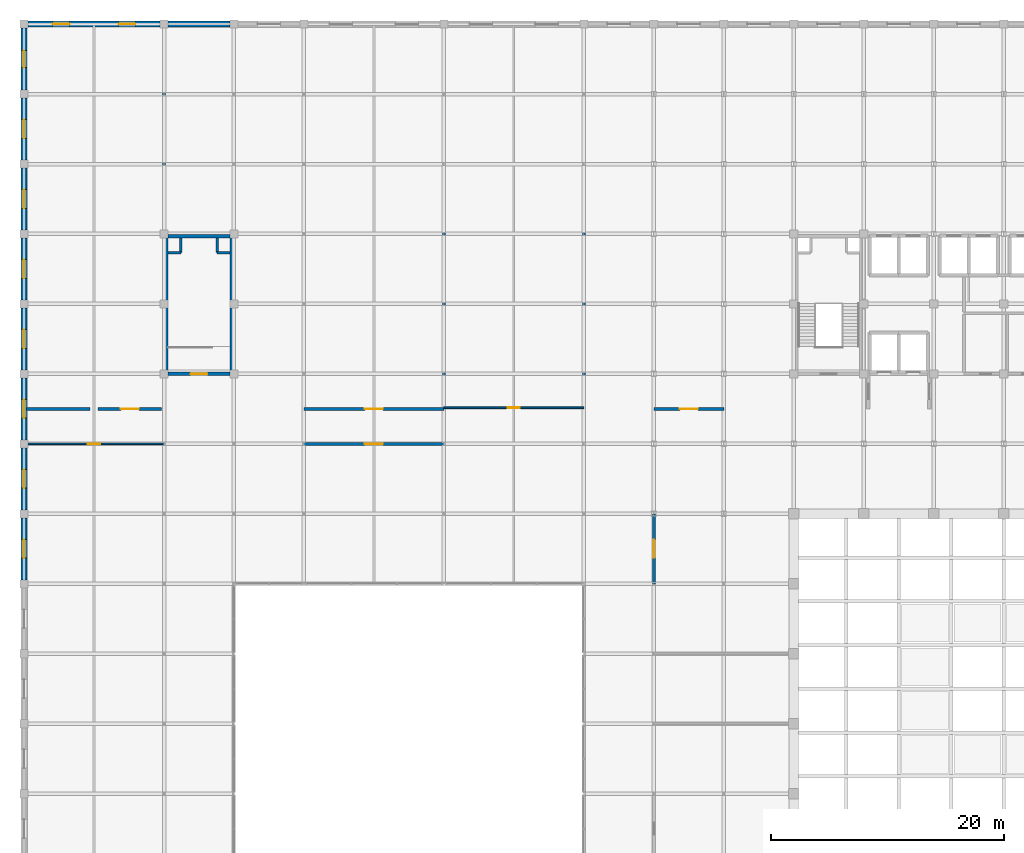
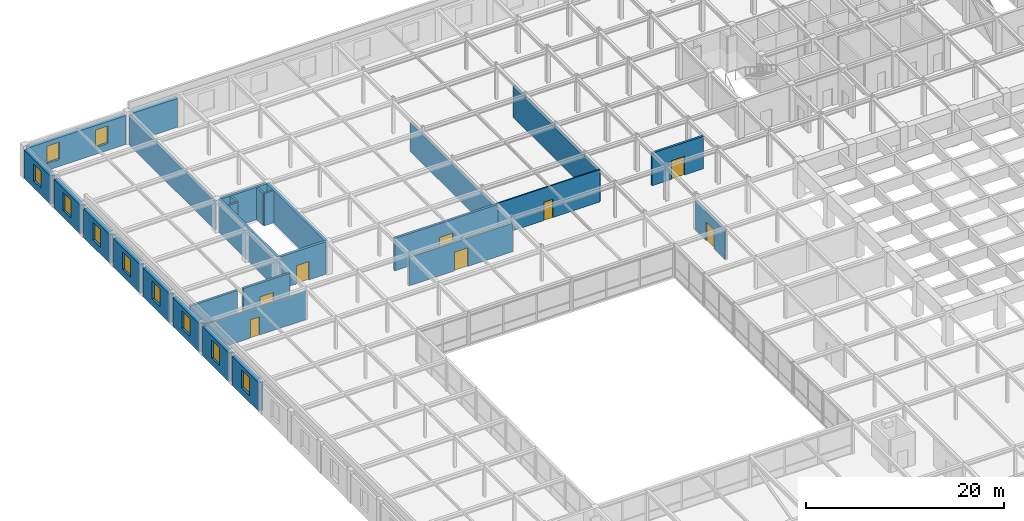
# One storey, part 104 of 111: 29 walls, 10 windows, 8 doors, 18 openings.
"""IFC4 building model written with IfcOpenShell, lengths in metres."""

from ifc_helpers import new_model, si_unit, direction, frame, frame_2d, origin, place, context, subcontext, project, spatial, rectangle, extrude, material, layer, layer_set, type_object, element, fill, save


model = new_model("IFC4")

# Units and contexts
model_context = context("Model", 3, precision=1e-05, world=origin(), true_north=direction((0.0, 1.0)))
body_context = subcontext(model_context, "Body", "Model", "MODEL_VIEW")
ifc_project = project(units=[si_unit("LENGTHUNIT", "METRE"), si_unit("AREAUNIT", "SQUARE_METRE"), si_unit("VOLUMEUNIT", "CUBIC_METRE"), si_unit("PLANEANGLEUNIT", "RADIAN"), si_unit("MASSUNIT", "GRAM", prefix="KILO")], contexts=[model_context])

# Site, building, storey
site_placement = place(None, origin())
site = spatial("IfcSite", under=ifc_project, at=site_placement, CompositionType="ELEMENT")
building_placement = place(site_placement, origin())
building = spatial("IfcBuilding", under=site, at=building_placement, Name="Zlatovratsky Civic Hall", CompositionType="ELEMENT")
storey_placement = place(building_placement, frame((0.0, 0.0, 16.5)))
storey = spatial("IfcBuildingStorey", under=building, at=storey_placement, Name="L04", CompositionType="ELEMENT", Elevation=16.5)

# Wall, opening, door
ifc_material_1 = material(Name="Acoustic ceramic blockwork", Category="masonry")
ifc_layer_1 = layer(ifc_material_1, 0.260009765625)
ifc_layer_set_1 = layer_set([ifc_layer_1], Name="Acoustic ceramic blockwork")
wall_type_1 = type_object("IfcWallType", Name="Wall_ArchiveCompartment_260", PredefinedType="PARTITIONING", material=ifc_layer_set_1)
wall_1_placement = place(storey_placement, frame((24.0, 78.0, 0.0), z_axis=(0.0, 0.0, 1.0), x_axis=(1.0, 0.0, 0.0)))
wall_1 = element("IfcWall", 1, at=wall_1_placement, inside=storey, type_object=wall_type_1, Name="WL-6228", PredefinedType="PARTITIONING", context=body_context, shape_type="SweptSolid", body=[
    extrude(rectangle(XDim=12.0, YDim=0.260009765625, at=frame_2d((6.0, 0.0))), origin(), (0.0, 0.0, 1.0), 3.512939453125),
])
opening_1_placement = place(wall_1_placement, frame((5.22509765625, 0.0, 0.0)))
opening_1 = element("IfcOpeningElement", 2, at=opening_1_placement, cuts=wall_1, Name="Opening D-15", PredefinedType="OPENING", context=body_context, shape_type="SweptSolid", body=[
    extrude(rectangle(XDim=1.550048828125, YDim=2.300048828125, at=frame_2d((0.77490234375, 1.14990234375))), frame((0.0, 0.14501953125, 0.0), z_axis=(0.0, -1.0, 0.0), x_axis=(1.0, 0.0, 0.0)), (0.0, 0.0, 1.0), 0.289794921875),
])
ifc_material_2 = material(Name="Insulated painted fire-rated steel leaf", Category="steel")
door_type_1 = type_object("IfcDoorType", Name="Door_CompactArchiveFire_1550x2300", OperationType="DOUBLE_DOOR_SINGLE_SWING", PredefinedType="DOOR", material=ifc_material_2)
door_1_placement = place(opening_1_placement, origin())
door_1 = element("IfcDoor", 3, at=door_1_placement, inside=storey, type_object=door_type_1, Name="DR-5329", OperationType="DOUBLE_DOOR_SINGLE_SWING", OverallHeight=2.300048828125, OverallWidth=1.550048828125, PredefinedType="DOOR", context=body_context, shape_type="SweptSolid", body=[
    extrude(rectangle(XDim=1.550048828125, YDim=2.300048828125, at=frame_2d((0.77490234375, 1.14990234375))), frame((0.0, 0.02490234375, 0.0), z_axis=(0.0, -1.0, 0.0), x_axis=(1.0, 0.0, 0.0)), (0.0, 0.0, 1.0), 0.050048828125),
])
fill(opening_1, door_1)

wall_2_placement = place(storey_placement, frame((24.0, 81.0, 0.0), z_axis=(0.0, 0.0, 1.0), x_axis=(1.0, 0.0, 0.0)))
wall_2 = element("IfcWall", 4, at=wall_2_placement, inside=storey, type_object=wall_type_1, Name="WL-6230", PredefinedType="PARTITIONING", context=body_context, shape_type="SweptSolid", body=[
    extrude(rectangle(XDim=12.0, YDim=0.260009765625, at=frame_2d((6.0, 0.0))), origin(), (0.0, 0.0, 1.0), 4.0),
])
opening_2_placement = place(wall_2_placement, frame((5.22509765625, 0.0, 0.0)))
opening_2 = element("IfcOpeningElement", 5, at=opening_2_placement, cuts=wall_2, Name="Opening D-15", PredefinedType="OPENING", context=body_context, shape_type="SweptSolid", body=[
    extrude(rectangle(XDim=1.550048828125, YDim=2.300048828125, at=frame_2d((0.77490234375, 1.14990234375))), frame((0.0, 0.14501953125, 0.0), z_axis=(0.0, -1.0, 0.0), x_axis=(1.0, 0.0, 0.0)), (0.0, 0.0, 1.0), 0.289794921875),
])
door_2_placement = place(opening_2_placement, origin())
door_2 = element("IfcDoor", 6, at=door_2_placement, inside=storey, type_object=door_type_1, Name="DR-5331", OperationType="DOUBLE_DOOR_SINGLE_SWING", OverallHeight=2.300048828125, OverallWidth=1.550048828125, PredefinedType="DOOR", context=body_context, shape_type="SweptSolid", body=[
    extrude(rectangle(XDim=1.550048828125, YDim=2.300048828125, at=frame_2d((0.77490234375, 1.14990234375))), frame((0.0, 0.02490234375, 0.0), z_axis=(0.0, -1.0, 0.0), x_axis=(1.0, 0.0, 0.0)), (0.0, 0.0, 1.0), 0.050048828125),
])
fill(opening_2, door_2)

wall_3_placement = place(storey_placement, frame((54.0, 81.0, 0.0), z_axis=(0.0, 0.0, 1.0), x_axis=(1.0, 0.0, 0.0)))
wall_3 = element("IfcWall", 7, at=wall_3_placement, inside=storey, type_object=wall_type_1, Name="WL-6231", PredefinedType="PARTITIONING", context=body_context, shape_type="SweptSolid", body=[
    extrude(rectangle(XDim=6.0, YDim=0.260009765625, at=frame_2d((3.0, 0.0))), origin(), (0.0, 0.0, 1.0), 4.0),
])
opening_3_placement = place(wall_3_placement, frame((2.22509765625, 0.0, 0.0)))
opening_3 = element("IfcOpeningElement", 8, at=opening_3_placement, cuts=wall_3, Name="Opening D-15", PredefinedType="OPENING", context=body_context, shape_type="SweptSolid", body=[
    extrude(rectangle(XDim=1.550048828125, YDim=2.300048828125, at=frame_2d((0.77490234375, 1.14990234375))), frame((0.0, 0.14501953125, 0.0), z_axis=(0.0, -1.0, 0.0), x_axis=(1.0, 0.0, 0.0)), (0.0, 0.0, 1.0), 0.289794921875),
])
door_3_placement = place(opening_3_placement, origin())
door_3 = element("IfcDoor", 9, at=door_3_placement, inside=storey, type_object=door_type_1, Name="DR-5332", OperationType="DOUBLE_DOOR_SINGLE_SWING", OverallHeight=2.300048828125, OverallWidth=1.550048828125, PredefinedType="DOOR", context=body_context, shape_type="SweptSolid", body=[
    extrude(rectangle(XDim=1.550048828125, YDim=2.300048828125, at=frame_2d((0.77490234375, 1.14990234375))), frame((0.0, 0.02490234375, 0.0), z_axis=(0.0, -1.0, 0.0), x_axis=(1.0, 0.0, 0.0)), (0.0, 0.0, 1.0), 0.050048828125),
])
fill(opening_3, door_3)

wall_4_placement = place(storey_placement, frame((54.0, 66.0, 0.0), z_axis=(0.0, 0.0, 1.0), x_axis=(0.0, 1.0, 0.0)))
wall_4 = element("IfcWall", 10, at=wall_4_placement, inside=storey, type_object=wall_type_1, Name="WL-6235", PredefinedType="PARTITIONING", context=body_context, shape_type="SweptSolid", body=[
    extrude(rectangle(XDim=6.0, YDim=0.260009765625, at=frame_2d((3.0, 0.0))), origin(), (0.0, 0.0, 1.0), 3.56005859375),
])
opening_4_placement = place(wall_4_placement, frame((2.22509765625, 0.0, 0.0)))
opening_4 = element("IfcOpeningElement", 11, at=opening_4_placement, cuts=wall_4, Name="Opening D-15", PredefinedType="OPENING", context=body_context, shape_type="SweptSolid", body=[
    extrude(rectangle(XDim=1.550048828125, YDim=2.300048828125, at=frame_2d((0.77490234375, 1.14990234375))), frame((0.0, 0.14501953125, 0.0), z_axis=(0.0, -1.0, 0.0), x_axis=(1.0, 0.0, 0.0)), (0.0, 0.0, 1.0), 0.289794921875),
])
door_4_placement = place(opening_4_placement, origin())
door_4 = element("IfcDoor", 12, at=door_4_placement, inside=storey, type_object=door_type_1, Name="DR-5336", OperationType="DOUBLE_DOOR_SINGLE_SWING", OverallHeight=2.300048828125, OverallWidth=1.550048828125, PredefinedType="DOOR", context=body_context, shape_type="SweptSolid", body=[
    extrude(rectangle(XDim=1.550048828125, YDim=2.300048828125, at=frame_2d((0.77490234375, 1.14990234375))), frame((0.0, 0.02490234375, 0.0), z_axis=(0.0, -1.0, 0.0), x_axis=(1.0, 0.0, 0.0)), (0.0, 0.0, 1.0), 0.050048828125),
])
fill(opening_4, door_4)

wall_5_placement = place(storey_placement, frame((6.35009765625, 81.0, 0.0), z_axis=(0.0, 0.0, 1.0), x_axis=(1.0, 0.0, 0.0)))
wall_5 = element("IfcWall", 13, at=wall_5_placement, inside=storey, type_object=wall_type_1, Name="WL-6238", PredefinedType="PARTITIONING", context=body_context, shape_type="SweptSolid", body=[
    extrude(rectangle(XDim=5.449951171875, YDim=0.260009765625, at=frame_2d((2.72509765625, 0.0))), origin(), (0.0, 0.0, 1.0), 4.0),
])
opening_5_placement = place(wall_5_placement, frame((1.949951171875, 0.0, 0.0)))
opening_5 = element("IfcOpeningElement", 14, at=opening_5_placement, cuts=wall_5, Name="Opening D-15", PredefinedType="OPENING", context=body_context, shape_type="SweptSolid", body=[
    extrude(rectangle(XDim=1.550048828125, YDim=2.300048828125, at=frame_2d((0.77490234375, 1.14990234375))), frame((0.0, 0.14501953125, 0.0), z_axis=(0.0, -1.0, 0.0), x_axis=(1.0, 0.0, 0.0)), (0.0, 0.0, 1.0), 0.289794921875),
])
door_5_placement = place(opening_5_placement, origin())
door_5 = element("IfcDoor", 15, at=door_5_placement, inside=storey, type_object=door_type_1, Name="DR-5339", OperationType="DOUBLE_DOOR_SINGLE_SWING", OverallHeight=2.300048828125, OverallWidth=1.550048828125, PredefinedType="DOOR", context=body_context, shape_type="SweptSolid", body=[
    extrude(rectangle(XDim=1.550048828125, YDim=2.300048828125, at=frame_2d((0.77490234375, 1.14990234375))), frame((0.0, 0.02490234375, 0.0), z_axis=(0.0, -1.0, 0.0), x_axis=(1.0, 0.0, 0.0)), (0.0, 0.0, 1.0), 0.050048828125),
])
fill(opening_5, door_5)

# Walls
wall_6_placement = place(storey_placement, frame((36.0, 81.14990234375, 0.0), z_axis=(0.0, 0.0, 1.0), x_axis=(0.0, 1.0, 0.0)))
element("IfcWall", 16, at=wall_6_placement, inside=storey, type_object=wall_type_1, Name="WL-6240", PredefinedType="PARTITIONING", context=body_context, shape_type="SweptSolid", body=[
    extrude(rectangle(XDim=17.2001953125, YDim=0.260009765625, at=frame_2d((8.60009765625, 0.0))), origin(), (0.0, 0.0, 1.0), 3.56005859375),
])
wall_7_placement = place(storey_placement, frame((48.0, 81.14990234375, 0.0), z_axis=(0.0, 0.0, 1.0), x_axis=(0.0, 1.0, 0.0)))
element("IfcWall", 17, at=wall_7_placement, inside=storey, type_object=wall_type_1, Name="WL-6241", PredefinedType="PARTITIONING", context=body_context, shape_type="SweptSolid", body=[
    extrude(rectangle(XDim=17.2001953125, YDim=0.260009765625, at=frame_2d((8.60009765625, 0.0))), origin(), (0.0, 0.0, 1.0), 3.840087890625),
])
wall_8_placement = place(storey_placement, frame((0.199951171875, 81.0, 0.0), z_axis=(0.0, 0.0, 1.0), x_axis=(1.0, 0.0, 0.0)))
element("IfcWall", 18, at=wall_8_placement, inside=storey, type_object=wall_type_1, Name="WL-6248", PredefinedType="PARTITIONING", context=body_context, shape_type="SweptSolid", body=[
    extrude(rectangle(XDim=5.449951171875, YDim=0.260009765625, at=frame_2d((2.72509765625, 0.0))), origin(), (0.0, 0.0, 1.0), 4.0),
])
wall_9_placement = place(storey_placement, frame((12.0, 96.199951171875, 0.0), z_axis=(0.0, 0.0, 1.0), x_axis=(0.0, 1.0, 0.0)))
element("IfcWall", 19, at=wall_9_placement, inside=storey, type_object=wall_type_1, Name="WL-6250", PredefinedType="PARTITIONING", context=body_context, shape_type="SweptSolid", body=[
    extrude(rectangle(XDim=17.300048828125, YDim=0.260009765625, at=frame_2d((8.64990234375, 0.0))), origin(), (0.0, 0.0, 1.0), 3.56005859375),
])

# Wall, opening, door
ifc_material_3 = material(Name="Fire-rated gypsum board framing", Category="gypsum")
ifc_layer_2 = layer(ifc_material_3, 0.139892578125)
ifc_layer_set_2 = layer_set([ifc_layer_2], Name="Fire-rated gypsum board framing")
wall_type_2 = type_object("IfcWallType", Name="Wall_OfficePartition_140", PredefinedType="PARTITIONING", material=ifc_layer_set_2)
wall_10_placement = place(storey_placement, frame((0.0, 78.0, 0.0), z_axis=(0.0, 0.0, 1.0), x_axis=(1.0, 0.0, 0.0)))
wall_10 = element("IfcWall", 20, at=wall_10_placement, inside=storey, type_object=wall_type_2, Name="WL-6222", PredefinedType="PARTITIONING", context=body_context, shape_type="SweptSolid", body=[
    extrude(rectangle(XDim=12.0, YDim=0.139892578125, at=frame_2d((6.0, 0.0))), origin(), (0.0, 0.0, 1.0), 3.512939453125),
])
opening_6_placement = place(wall_10_placement, frame((5.47509765625, 0.0, 0.0)))
opening_6 = element("IfcOpeningElement", 21, at=opening_6_placement, cuts=wall_10, Name="Opening D-24", PredefinedType="OPENING", context=body_context, shape_type="SweptSolid", body=[
    extrude(rectangle(XDim=1.050048828125, YDim=2.25, at=frame_2d((0.52490234375, 1.125))), frame((0.0, 0.0849609375, 0.0), z_axis=(0.0, -1.0, 0.0), x_axis=(1.0, 0.0, 0.0)), (0.0, 0.0, 1.0), 0.169677734375),
])
ifc_material_4 = material(Name="Solid oak joinery in steel frame", Category="steel")
door_type_2 = type_object("IfcDoorType", Name="Door_DirectorateOffice_1050x2250", OperationType="NOTDEFINED", PredefinedType="DOOR", material=ifc_material_4)
door_6_placement = place(opening_6_placement, origin())
door_6 = element("IfcDoor", 22, at=door_6_placement, inside=storey, type_object=door_type_2, Name="DR-5323", OperationType="SINGLE_SWING_LEFT", OverallHeight=2.25, OverallWidth=1.050048828125, PredefinedType="DOOR", context=body_context, shape_type="SweptSolid", body=[
    extrude(rectangle(XDim=1.050048828125, YDim=2.25, at=frame_2d((0.52490234375, 1.125))), frame((0.0, 0.02490234375, 0.0), z_axis=(0.0, -1.0, 0.0), x_axis=(1.0, 0.0, 0.0)), (0.0, 0.0, 1.0), 0.050048828125),
])
fill(opening_6, door_6)

wall_11_placement = place(storey_placement, frame((36.0, 81.10009765625, 0.0), z_axis=(0.0, 0.0, 1.0), x_axis=(1.0, 0.0, 0.0)))
wall_11 = element("IfcWall", 23, at=wall_11_placement, inside=storey, type_object=wall_type_2, Name="WL-6224", PredefinedType="PARTITIONING", context=body_context, shape_type="SweptSolid", body=[
    extrude(rectangle(XDim=12.0, YDim=0.139892578125, at=frame_2d((6.0, 0.0))), origin(), (0.0, 0.0, 1.0), 4.0),
])
opening_7_placement = place(wall_11_placement, frame((5.47509765625, 0.0, 0.0)))
opening_7 = element("IfcOpeningElement", 24, at=opening_7_placement, cuts=wall_11, Name="Opening D-24", PredefinedType="OPENING", context=body_context, shape_type="SweptSolid", body=[
    extrude(rectangle(XDim=1.050048828125, YDim=2.25, at=frame_2d((0.52490234375, 1.125))), frame((0.0, 0.0849609375, 0.0), z_axis=(0.0, -1.0, 0.0), x_axis=(1.0, 0.0, 0.0)), (0.0, 0.0, 1.0), 0.169677734375),
])
door_7_placement = place(opening_7_placement, origin())
door_7 = element("IfcDoor", 25, at=door_7_placement, inside=storey, type_object=door_type_2, Name="DR-5325", OperationType="SINGLE_SWING_LEFT", OverallHeight=2.25, OverallWidth=1.050048828125, PredefinedType="DOOR", context=body_context, shape_type="SweptSolid", body=[
    extrude(rectangle(XDim=1.050048828125, YDim=2.25, at=frame_2d((0.52490234375, 1.125))), frame((0.0, 0.02490234375, 0.0), z_axis=(0.0, -1.0, 0.0), x_axis=(1.0, 0.0, 0.0)), (0.0, 0.0, 1.0), 0.050048828125),
])
fill(opening_7, door_7)

# Wall, openings, windows
ifc_layer_3 = layer(ifc_material_1, 0.39990234375, Name="Backing")
ifc_material_5 = material(Name="Polished Karelian granite ashlar", Category="masonry")
ifc_layer_4 = layer(ifc_material_5, 0.139892578125, Name="Finish")
ifc_layer_set_3 = layer_set([ifc_layer_3, ifc_layer_4], Name="Acoustic ceramic blockwork")
wall_type_3 = type_object("IfcWallType", Name="Wall_PodiumGraniteArcade_540", PredefinedType="SOLIDWALL", material=ifc_layer_set_3)
wall_12_placement = place(storey_placement, frame((0.35009765625, 114.0, 0.0), z_axis=(0.0, 0.0, 1.0), x_axis=(1.0, 0.0, 0.0)))
wall_12 = element("IfcWall", 26, at=wall_12_placement, inside=storey, type_object=wall_type_3, Name="WL-0333", PredefinedType="SOLIDWALL", context=body_context, shape_type="SweptSolid", body=[
    extrude(rectangle(XDim=11.2998046875, YDim=0.5400390625, at=frame_2d((5.64990234375, 0.0))), origin(), (0.0, 0.0, 1.0), 3.550048828125),
])
opening_8_placement = place(wall_12_placement, frame((2.10009765625, 0.0, 0.85009765625)))
opening_8 = element("IfcOpeningElement", 27, at=opening_8_placement, cuts=wall_12, Name="Opening WN-28", PredefinedType="OPENING", context=body_context, shape_type="SweptSolid", body=[
    extrude(rectangle(XDim=1.449951171875, YDim=2.14990234375, at=frame_2d((0.72509765625, 1.074951171875))), frame((0.0, 0.284912109375, 0.0), z_axis=(0.0, -1.0, 0.0), x_axis=(1.0, 0.0, 0.0)), (0.0, 0.0, 1.0), 0.56982421875),
])
opening_9_placement = place(wall_12_placement, frame((7.75, 0.0, 0.85009765625)))
opening_9 = element("IfcOpeningElement", 28, at=opening_9_placement, cuts=wall_12, Name="Opening WN-28", PredefinedType="OPENING", context=body_context, shape_type="SweptSolid", body=[
    extrude(rectangle(XDim=1.449951171875, YDim=2.14990234375, at=frame_2d((0.72509765625, 1.074951171875))), frame((0.0, 0.284912109375, 0.0), z_axis=(0.0, -1.0, 0.0), x_axis=(1.0, 0.0, 0.0)), (0.0, 0.0, 1.0), 0.56982421875),
])
ifc_material_6 = material(Name="Low-E laminated double glazing", Category="glass")
window_type_1 = type_object("IfcWindowType", Name="Window_CornerBastionUpper_1450x2150", PartitioningType="SINGLE_PANEL", PredefinedType="WINDOW", material=ifc_material_6)
window_1_placement = place(opening_8_placement, origin())
window_1 = element("IfcWindow", 29, at=window_1_placement, inside=storey, type_object=window_type_1, Name="WN-0257", OverallHeight=2.14990234375, OverallWidth=1.449951171875, PartitioningType="SINGLE_PANEL", PredefinedType="WINDOW", context=body_context, shape_type="SweptSolid", body=[
    extrude(rectangle(XDim=1.449951171875, YDim=2.14990234375, at=frame_2d((0.72509765625, 1.074951171875))), frame((0.0, 0.030029296875, 0.0), z_axis=(0.0, -1.0, 0.0), x_axis=(1.0, 0.0, 0.0)), (0.0, 0.0, 1.0), 0.06005859375),
])
fill(opening_8, window_1)
window_2_placement = place(opening_9_placement, origin())
window_2 = element("IfcWindow", 30, at=window_2_placement, inside=storey, type_object=window_type_1, Name="WN-0258", OverallHeight=2.14990234375, OverallWidth=1.449951171875, PartitioningType="SINGLE_PANEL", PredefinedType="WINDOW", context=body_context, shape_type="SweptSolid", body=[
    extrude(rectangle(XDim=1.449951171875, YDim=2.14990234375, at=frame_2d((0.72509765625, 1.074951171875))), frame((0.0, 0.030029296875, 0.0), z_axis=(0.0, -1.0, 0.0), x_axis=(1.0, 0.0, 0.0)), (0.0, 0.0, 1.0), 0.06005859375),
])
fill(opening_9, window_2)

# Wall
wall_13_placement = place(storey_placement, frame((12.35009765625, 114.0, 0.0), z_axis=(0.0, 0.0, 1.0), x_axis=(1.0, 0.0, 0.0)))
element("IfcWall", 31, at=wall_13_placement, inside=storey, type_object=wall_type_3, Name="WL-0334", PredefinedType="SOLIDWALL", context=body_context, shape_type="SweptSolid", body=[
    extrude(rectangle(XDim=5.2998046875, YDim=0.5400390625, at=frame_2d((2.64990234375, 0.0))), origin(), (0.0, 0.0, 1.0), 3.550048828125),
])

# Wall, opening, window
wall_14_placement = place(storey_placement, frame((0.0, 66.35009765625, 0.0), z_axis=(0.0, 0.0, 1.0), x_axis=(0.0, 1.0, 0.0)))
wall_14 = element("IfcWall", 32, at=wall_14_placement, inside=storey, type_object=wall_type_3, Name="WL-0364", PredefinedType="SOLIDWALL", context=body_context, shape_type="SweptSolid", body=[
    extrude(rectangle(XDim=5.2998046875, YDim=0.5400390625, at=frame_2d((2.64990234375, 0.0))), origin(), (0.0, 0.0, 1.0), 3.550048828125),
])
opening_10_placement = place(wall_14_placement, frame((1.85009765625, 0.0, 0.85009765625)))
opening_10 = element("IfcOpeningElement", 33, at=opening_10_placement, cuts=wall_14, Name="Opening WN-12", PredefinedType="OPENING", context=body_context, shape_type="SweptSolid", body=[
    extrude(rectangle(XDim=1.60009765625, YDim=2.199951171875, at=frame_2d((0.800048828125, 1.10009765625))), frame((0.0, 0.284912109375, 0.0), z_axis=(0.0, -1.0, 0.0), x_axis=(1.0, 0.0, 0.0)), (0.0, 0.0, 1.0), 0.56982421875),
])
window_type_2 = type_object("IfcWindowType", Name="Window_CourtWingL04_1600x2200", PartitioningType="SINGLE_PANEL", PredefinedType="WINDOW", material=ifc_material_6)
window_3_placement = place(opening_10_placement, origin())
window_3 = element("IfcWindow", 34, at=window_3_placement, inside=storey, type_object=window_type_2, Name="WN-0294", OverallHeight=2.199951171875, OverallWidth=1.60009765625, PartitioningType="SINGLE_PANEL", PredefinedType="WINDOW", context=body_context, shape_type="SweptSolid", body=[
    extrude(rectangle(XDim=1.60009765625, YDim=2.199951171875, at=frame_2d((0.800048828125, 1.10009765625))), frame((0.0, 0.030029296875, 0.0), z_axis=(0.0, -1.0, 0.0), x_axis=(1.0, 0.0, 0.0)), (0.0, 0.0, 1.0), 0.06005859375),
])
fill(opening_10, window_3)

wall_15_placement = place(storey_placement, frame((0.0, 72.35009765625, 0.0), z_axis=(0.0, 0.0, 1.0), x_axis=(0.0, 1.0, 0.0)))
wall_15 = element("IfcWall", 35, at=wall_15_placement, inside=storey, type_object=wall_type_3, Name="WL-0365", PredefinedType="SOLIDWALL", context=body_context, shape_type="SweptSolid", body=[
    extrude(rectangle(XDim=5.2998046875, YDim=0.5400390625, at=frame_2d((2.64990234375, 0.0))), origin(), (0.0, 0.0, 1.0), 3.550048828125),
])
opening_11_placement = place(wall_15_placement, frame((1.85009765625, 0.0, 0.85009765625)))
opening_11 = element("IfcOpeningElement", 36, at=opening_11_placement, cuts=wall_15, Name="Opening WN-12", PredefinedType="OPENING", context=body_context, shape_type="SweptSolid", body=[
    extrude(rectangle(XDim=1.60009765625, YDim=2.199951171875, at=frame_2d((0.800048828125, 1.10009765625))), frame((0.0, 0.284912109375, 0.0), z_axis=(0.0, -1.0, 0.0), x_axis=(1.0, 0.0, 0.0)), (0.0, 0.0, 1.0), 0.56982421875),
])
window_4_placement = place(opening_11_placement, origin())
window_4 = element("IfcWindow", 37, at=window_4_placement, inside=storey, type_object=window_type_2, Name="WN-0295", OverallHeight=2.199951171875, OverallWidth=1.60009765625, PartitioningType="SINGLE_PANEL", PredefinedType="WINDOW", context=body_context, shape_type="SweptSolid", body=[
    extrude(rectangle(XDim=1.60009765625, YDim=2.199951171875, at=frame_2d((0.800048828125, 1.10009765625))), frame((0.0, 0.030029296875, 0.0), z_axis=(0.0, -1.0, 0.0), x_axis=(1.0, 0.0, 0.0)), (0.0, 0.0, 1.0), 0.06005859375),
])
fill(opening_11, window_4)

wall_16_placement = place(storey_placement, frame((0.0, 78.35009765625, 0.0), z_axis=(0.0, 0.0, 1.0), x_axis=(0.0, 1.0, 0.0)))
wall_16 = element("IfcWall", 38, at=wall_16_placement, inside=storey, type_object=wall_type_3, Name="WL-0366", PredefinedType="SOLIDWALL", context=body_context, shape_type="SweptSolid", body=[
    extrude(rectangle(XDim=5.2998046875, YDim=0.5400390625, at=frame_2d((2.64990234375, 0.0))), origin(), (0.0, 0.0, 1.0), 3.550048828125),
])
opening_12_placement = place(wall_16_placement, frame((1.85009765625, 0.0, 0.85009765625)))
opening_12 = element("IfcOpeningElement", 39, at=opening_12_placement, cuts=wall_16, Name="Opening WN-12", PredefinedType="OPENING", context=body_context, shape_type="SweptSolid", body=[
    extrude(rectangle(XDim=1.60009765625, YDim=2.199951171875, at=frame_2d((0.800048828125, 1.10009765625))), frame((0.0, 0.284912109375, 0.0), z_axis=(0.0, -1.0, 0.0), x_axis=(1.0, 0.0, 0.0)), (0.0, 0.0, 1.0), 0.56982421875),
])
window_5_placement = place(opening_12_placement, origin())
window_5 = element("IfcWindow", 40, at=window_5_placement, inside=storey, type_object=window_type_2, Name="WN-0296", OverallHeight=2.199951171875, OverallWidth=1.60009765625, PartitioningType="SINGLE_PANEL", PredefinedType="WINDOW", context=body_context, shape_type="SweptSolid", body=[
    extrude(rectangle(XDim=1.60009765625, YDim=2.199951171875, at=frame_2d((0.800048828125, 1.10009765625))), frame((0.0, 0.030029296875, 0.0), z_axis=(0.0, -1.0, 0.0), x_axis=(1.0, 0.0, 0.0)), (0.0, 0.0, 1.0), 0.06005859375),
])
fill(opening_12, window_5)

wall_17_placement = place(storey_placement, frame((0.0, 84.35009765625, 0.0), z_axis=(0.0, 0.0, 1.0), x_axis=(0.0, 1.0, 0.0)))
wall_17 = element("IfcWall", 41, at=wall_17_placement, inside=storey, type_object=wall_type_3, Name="WL-0367", PredefinedType="SOLIDWALL", context=body_context, shape_type="SweptSolid", body=[
    extrude(rectangle(XDim=5.2998046875, YDim=0.5400390625, at=frame_2d((2.64990234375, 0.0))), origin(), (0.0, 0.0, 1.0), 3.550048828125),
])
opening_13_placement = place(wall_17_placement, frame((1.85009765625, 0.0, 0.85009765625)))
opening_13 = element("IfcOpeningElement", 42, at=opening_13_placement, cuts=wall_17, Name="Opening WN-12", PredefinedType="OPENING", context=body_context, shape_type="SweptSolid", body=[
    extrude(rectangle(XDim=1.60009765625, YDim=2.199951171875, at=frame_2d((0.800048828125, 1.10009765625))), frame((0.0, 0.284912109375, 0.0), z_axis=(0.0, -1.0, 0.0), x_axis=(1.0, 0.0, 0.0)), (0.0, 0.0, 1.0), 0.56982421875),
])
window_6_placement = place(opening_13_placement, origin())
window_6 = element("IfcWindow", 43, at=window_6_placement, inside=storey, type_object=window_type_2, Name="WN-0297", OverallHeight=2.199951171875, OverallWidth=1.60009765625, PartitioningType="SINGLE_PANEL", PredefinedType="WINDOW", context=body_context, shape_type="SweptSolid", body=[
    extrude(rectangle(XDim=1.60009765625, YDim=2.199951171875, at=frame_2d((0.800048828125, 1.10009765625))), frame((0.0, 0.030029296875, 0.0), z_axis=(0.0, -1.0, 0.0), x_axis=(1.0, 0.0, 0.0)), (0.0, 0.0, 1.0), 0.06005859375),
])
fill(opening_13, window_6)

wall_18_placement = place(storey_placement, frame((0.0, 90.35009765625, 0.0), z_axis=(0.0, 0.0, 1.0), x_axis=(0.0, 1.0, 0.0)))
wall_18 = element("IfcWall", 44, at=wall_18_placement, inside=storey, type_object=wall_type_3, Name="WL-0368", PredefinedType="SOLIDWALL", context=body_context, shape_type="SweptSolid", body=[
    extrude(rectangle(XDim=5.2998046875, YDim=0.5400390625, at=frame_2d((2.64990234375, 0.0))), origin(), (0.0, 0.0, 1.0), 3.550048828125),
])
opening_14_placement = place(wall_18_placement, frame((1.85009765625, 0.0, 0.85009765625)))
opening_14 = element("IfcOpeningElement", 45, at=opening_14_placement, cuts=wall_18, Name="Opening WN-12", PredefinedType="OPENING", context=body_context, shape_type="SweptSolid", body=[
    extrude(rectangle(XDim=1.60009765625, YDim=2.199951171875, at=frame_2d((0.800048828125, 1.10009765625))), frame((0.0, 0.284912109375, 0.0), z_axis=(0.0, -1.0, 0.0), x_axis=(1.0, 0.0, 0.0)), (0.0, 0.0, 1.0), 0.56982421875),
])
window_7_placement = place(opening_14_placement, origin())
window_7 = element("IfcWindow", 46, at=window_7_placement, inside=storey, type_object=window_type_2, Name="WN-0298", OverallHeight=2.199951171875, OverallWidth=1.60009765625, PartitioningType="SINGLE_PANEL", PredefinedType="WINDOW", context=body_context, shape_type="SweptSolid", body=[
    extrude(rectangle(XDim=1.60009765625, YDim=2.199951171875, at=frame_2d((0.800048828125, 1.10009765625))), frame((0.0, 0.030029296875, 0.0), z_axis=(0.0, -1.0, 0.0), x_axis=(1.0, 0.0, 0.0)), (0.0, 0.0, 1.0), 0.06005859375),
])
fill(opening_14, window_7)

wall_19_placement = place(storey_placement, frame((0.0, 96.35009765625, 0.0), z_axis=(0.0, 0.0, 1.0), x_axis=(0.0, 1.0, 0.0)))
wall_19 = element("IfcWall", 47, at=wall_19_placement, inside=storey, type_object=wall_type_3, Name="WL-0369", PredefinedType="SOLIDWALL", context=body_context, shape_type="SweptSolid", body=[
    extrude(rectangle(XDim=5.2998046875, YDim=0.5400390625, at=frame_2d((2.64990234375, 0.0))), origin(), (0.0, 0.0, 1.0), 3.550048828125),
])
opening_15_placement = place(wall_19_placement, frame((1.85009765625, 0.0, 0.85009765625)))
opening_15 = element("IfcOpeningElement", 48, at=opening_15_placement, cuts=wall_19, Name="Opening WN-12", PredefinedType="OPENING", context=body_context, shape_type="SweptSolid", body=[
    extrude(rectangle(XDim=1.60009765625, YDim=2.199951171875, at=frame_2d((0.800048828125, 1.10009765625))), frame((0.0, 0.284912109375, 0.0), z_axis=(0.0, -1.0, 0.0), x_axis=(1.0, 0.0, 0.0)), (0.0, 0.0, 1.0), 0.56982421875),
])
window_8_placement = place(opening_15_placement, origin())
window_8 = element("IfcWindow", 49, at=window_8_placement, inside=storey, type_object=window_type_2, Name="WN-0299", OverallHeight=2.199951171875, OverallWidth=1.60009765625, PartitioningType="SINGLE_PANEL", PredefinedType="WINDOW", context=body_context, shape_type="SweptSolid", body=[
    extrude(rectangle(XDim=1.60009765625, YDim=2.199951171875, at=frame_2d((0.800048828125, 1.10009765625))), frame((0.0, 0.030029296875, 0.0), z_axis=(0.0, -1.0, 0.0), x_axis=(1.0, 0.0, 0.0)), (0.0, 0.0, 1.0), 0.06005859375),
])
fill(opening_15, window_8)

wall_20_placement = place(storey_placement, frame((0.0, 102.35009765625, 0.0), z_axis=(0.0, 0.0, 1.0), x_axis=(0.0, 1.0, 0.0)))
wall_20 = element("IfcWall", 50, at=wall_20_placement, inside=storey, type_object=wall_type_3, Name="WL-0370", PredefinedType="SOLIDWALL", context=body_context, shape_type="SweptSolid", body=[
    extrude(rectangle(XDim=5.2998046875, YDim=0.5400390625, at=frame_2d((2.64990234375, 0.0))), origin(), (0.0, 0.0, 1.0), 3.550048828125),
])
opening_16_placement = place(wall_20_placement, frame((1.85009765625, 0.0, 0.85009765625)))
opening_16 = element("IfcOpeningElement", 51, at=opening_16_placement, cuts=wall_20, Name="Opening WN-12", PredefinedType="OPENING", context=body_context, shape_type="SweptSolid", body=[
    extrude(rectangle(XDim=1.60009765625, YDim=2.199951171875, at=frame_2d((0.800048828125, 1.10009765625))), frame((0.0, 0.284912109375, 0.0), z_axis=(0.0, -1.0, 0.0), x_axis=(1.0, 0.0, 0.0)), (0.0, 0.0, 1.0), 0.56982421875),
])
window_9_placement = place(opening_16_placement, origin())
window_9 = element("IfcWindow", 52, at=window_9_placement, inside=storey, type_object=window_type_2, Name="WN-0300", OverallHeight=2.199951171875, OverallWidth=1.60009765625, PartitioningType="SINGLE_PANEL", PredefinedType="WINDOW", context=body_context, shape_type="SweptSolid", body=[
    extrude(rectangle(XDim=1.60009765625, YDim=2.199951171875, at=frame_2d((0.800048828125, 1.10009765625))), frame((0.0, 0.030029296875, 0.0), z_axis=(0.0, -1.0, 0.0), x_axis=(1.0, 0.0, 0.0)), (0.0, 0.0, 1.0), 0.06005859375),
])
fill(opening_16, window_9)

wall_21_placement = place(storey_placement, frame((0.0, 108.35009765625, 0.0), z_axis=(0.0, 0.0, 1.0), x_axis=(0.0, 1.0, 0.0)))
wall_21 = element("IfcWall", 53, at=wall_21_placement, inside=storey, type_object=wall_type_3, Name="WL-0371", PredefinedType="SOLIDWALL", context=body_context, shape_type="SweptSolid", body=[
    extrude(rectangle(XDim=5.2998046875, YDim=0.5400390625, at=frame_2d((2.64990234375, 0.0))), origin(), (0.0, 0.0, 1.0), 3.550048828125),
])
opening_17_placement = place(wall_21_placement, frame((1.925048828125, 0.0, 0.85009765625)))
opening_17 = element("IfcOpeningElement", 54, at=opening_17_placement, cuts=wall_21, Name="Opening WN-28", PredefinedType="OPENING", context=body_context, shape_type="SweptSolid", body=[
    extrude(rectangle(XDim=1.449951171875, YDim=2.14990234375, at=frame_2d((0.72509765625, 1.074951171875))), frame((0.0, 0.284912109375, 0.0), z_axis=(0.0, -1.0, 0.0), x_axis=(1.0, 0.0, 0.0)), (0.0, 0.0, 1.0), 0.56982421875),
])
window_10_placement = place(opening_17_placement, origin())
window_10 = element("IfcWindow", 55, at=window_10_placement, inside=storey, type_object=window_type_1, Name="WN-0301", OverallHeight=2.14990234375, OverallWidth=1.449951171875, PartitioningType="SINGLE_PANEL", PredefinedType="WINDOW", context=body_context, shape_type="SweptSolid", body=[
    extrude(rectangle(XDim=1.449951171875, YDim=2.14990234375, at=frame_2d((0.72509765625, 1.074951171875))), frame((0.0, 0.030029296875, 0.0), z_axis=(0.0, -1.0, 0.0), x_axis=(1.0, 0.0, 0.0)), (0.0, 0.0, 1.0), 0.06005859375),
])
fill(opening_17, window_10)

# Walls
ifc_layer_5 = layer(ifc_material_1, 0.219970703125)
ifc_layer_set_4 = layer_set([ifc_layer_5], Name="Acoustic ceramic blockwork")
wall_type_4 = type_object("IfcWallType", Name="Wall_SanitaryWetCore_220", PredefinedType="PARTITIONING", material=ifc_layer_set_4)
wall_22_placement = place(storey_placement, frame((13.449951171875, 94.39990234375, 0.0), z_axis=(0.0, 0.0, 1.0), x_axis=(0.0, 1.0, 0.0)))
element("IfcWall", 56, at=wall_22_placement, inside=storey, type_object=wall_type_4, Name="WL-5425", PredefinedType="PARTITIONING", context=body_context, shape_type="SweptSolid", body=[
    extrude(rectangle(XDim=1.25, YDim=0.219970703125, at=frame_2d((0.625, 0.0))), origin(), (0.0, 0.0, 1.0), 4.0),
])
wall_23_placement = place(storey_placement, frame((12.35009765625, 94.39990234375, 0.0), z_axis=(0.0, 0.0, 1.0), x_axis=(1.0, 0.0, 0.0)))
element("IfcWall", 57, at=wall_23_placement, inside=storey, type_object=wall_type_4, Name="WL-5426", PredefinedType="PARTITIONING", context=body_context, shape_type="SweptSolid", body=[
    extrude(rectangle(XDim=1.099853515625, YDim=0.219970703125, at=frame_2d((0.5498046875, 0.0))), origin(), (0.0, 0.0, 1.0), 4.0),
])
wall_24_placement = place(storey_placement, frame((16.550048828125, 94.39990234375, 0.0), z_axis=(0.0, 0.0, 1.0), x_axis=(0.0, 1.0, 0.0)))
element("IfcWall", 58, at=wall_24_placement, inside=storey, type_object=wall_type_4, Name="WL-5427", PredefinedType="PARTITIONING", context=body_context, shape_type="SweptSolid", body=[
    extrude(rectangle(XDim=1.25, YDim=0.219970703125, at=frame_2d((0.625, 0.0))), origin(), (0.0, 0.0, 1.0), 4.0),
])
wall_25_placement = place(storey_placement, frame((16.550048828125, 94.39990234375, 0.0), z_axis=(0.0, 0.0, 1.0), x_axis=(1.0, 0.0, 0.0)))
element("IfcWall", 59, at=wall_25_placement, inside=storey, type_object=wall_type_4, Name="WL-5428", PredefinedType="PARTITIONING", context=body_context, shape_type="SweptSolid", body=[
    extrude(rectangle(XDim=1.099853515625, YDim=0.219970703125, at=frame_2d((0.5498046875, 0.0))), origin(), (0.0, 0.0, 1.0), 4.0),
])

# Wall, opening, door
ifc_material_7 = material(Name="Concrete C35/45 (B40)", Category="concrete")
ifc_layer_6 = layer(ifc_material_7, 0.300048828125)
ifc_layer_set_5 = layer_set([ifc_layer_6], Name="Concrete C35/45 (B40)")
wall_type_5 = type_object("IfcWallType", Name="Wall_StairAndLiftShaft_300", PredefinedType="SHEAR", material=ifc_layer_set_5)
wall_26_placement = place(storey_placement, frame((12.35009765625, 84.0, 0.0), z_axis=(0.0, 0.0, 1.0), x_axis=(1.0, 0.0, 0.0)))
wall_26 = element("IfcWall", 60, at=wall_26_placement, inside=storey, type_object=wall_type_5, Name="WL-5421", PredefinedType="SHEAR", context=body_context, shape_type="SweptSolid", body=[
    extrude(rectangle(XDim=5.2998046875, YDim=0.300048828125, at=frame_2d((2.64990234375, 0.0))), origin(), (0.0, 0.0, 1.0), 4.0),
])
opening_18_placement = place(wall_26_placement, frame((1.925048828125, 0.0, 0.0)))
opening_18 = element("IfcOpeningElement", 61, at=opening_18_placement, cuts=wall_26, Name="Opening D-16", PredefinedType="OPENING", context=body_context, shape_type="SweptSolid", body=[
    extrude(rectangle(XDim=1.449951171875, YDim=2.25, at=frame_2d((0.72509765625, 1.125))), frame((0.0, 0.1650390625, 0.0), z_axis=(0.0, -1.0, 0.0), x_axis=(1.0, 0.0, 0.0)), (0.0, 0.0, 1.0), 0.329833984375),
])
door_type_3 = type_object("IfcDoorType", Name="Door_StairwellFirePodium_1450x2250", OperationType="NOTDEFINED", PredefinedType="DOOR", material=ifc_material_2)
door_8_placement = place(opening_18_placement, origin())
door_8 = element("IfcDoor", 62, at=door_8_placement, inside=storey, type_object=door_type_3, Name="DR-5053", OperationType="SINGLE_SWING_LEFT", OverallHeight=2.25, OverallWidth=1.449951171875, PredefinedType="DOOR", context=body_context, shape_type="SweptSolid", body=[
    extrude(rectangle(XDim=1.449951171875, YDim=2.25, at=frame_2d((0.72509765625, 1.125))), frame((0.0, 0.02490234375, 0.0), z_axis=(0.0, -1.0, 0.0), x_axis=(1.0, 0.0, 0.0)), (0.0, 0.0, 1.0), 0.050048828125),
])
fill(opening_18, door_8)

# Walls
wall_27_placement = place(storey_placement, frame((12.35009765625, 95.800048828125, 0.0), z_axis=(0.0, 0.0, 1.0), x_axis=(1.0, 0.0, 0.0)))
element("IfcWall", 63, at=wall_27_placement, inside=storey, type_object=wall_type_5, Name="WL-5422", PredefinedType="SHEAR", context=body_context, shape_type="SweptSolid", body=[
    extrude(rectangle(XDim=5.2998046875, YDim=0.300048828125, at=frame_2d((2.64990234375, 0.0))), origin(), (0.0, 0.0, 1.0), 4.0),
])
for number, where, z_axis, x_axis, name in (
    (64, (12.199951171875, 84.0, 0.0), (0.0, 0.0, 1.0), (0.0, 1.0, 0.0), "WL-5423"),
    (65, (17.800048828125, 84.0, 0.0), (0.0, 0.0, 1.0), (0.0, 1.0, 0.0), "WL-5424"),
):
    element("IfcWall", number, at=place(storey_placement, frame(where, z_axis=z_axis, x_axis=x_axis)), inside=storey, type_object=wall_type_5, Name=name, PredefinedType="SHEAR", context=body_context, shape_type="SweptSolid", body=[
        extrude(rectangle(XDim=11.800048828125, YDim=0.300048828125, at=frame_2d((5.89990234375, 0.0))), origin(), (0.0, 0.0, 1.0), 4.0),
    ])

save(model, "model.ifc")
